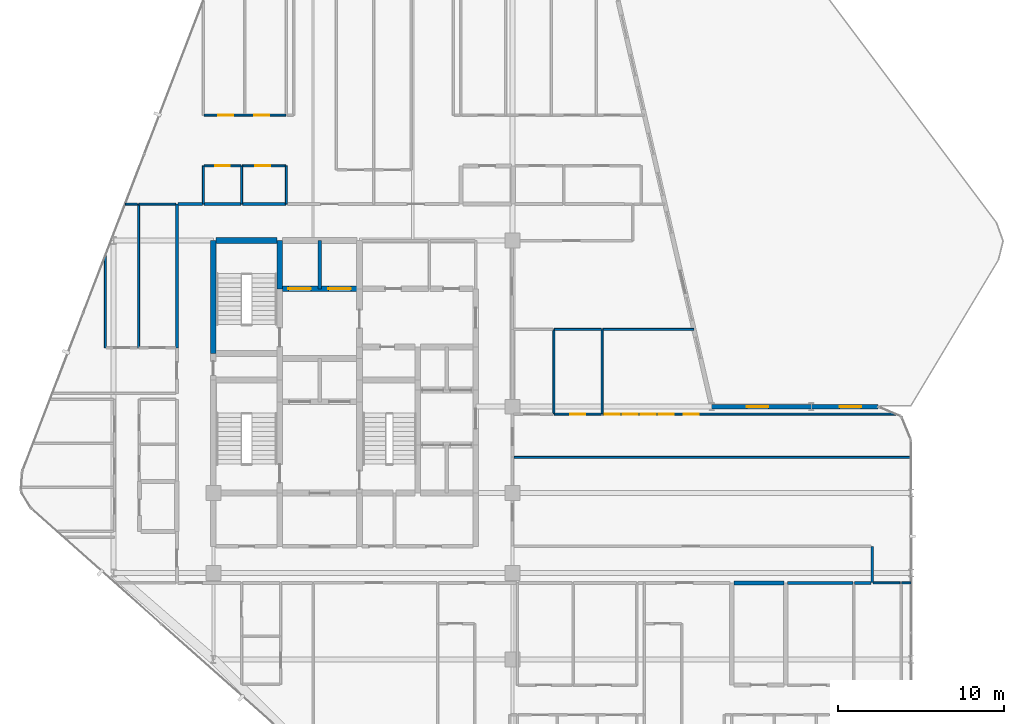
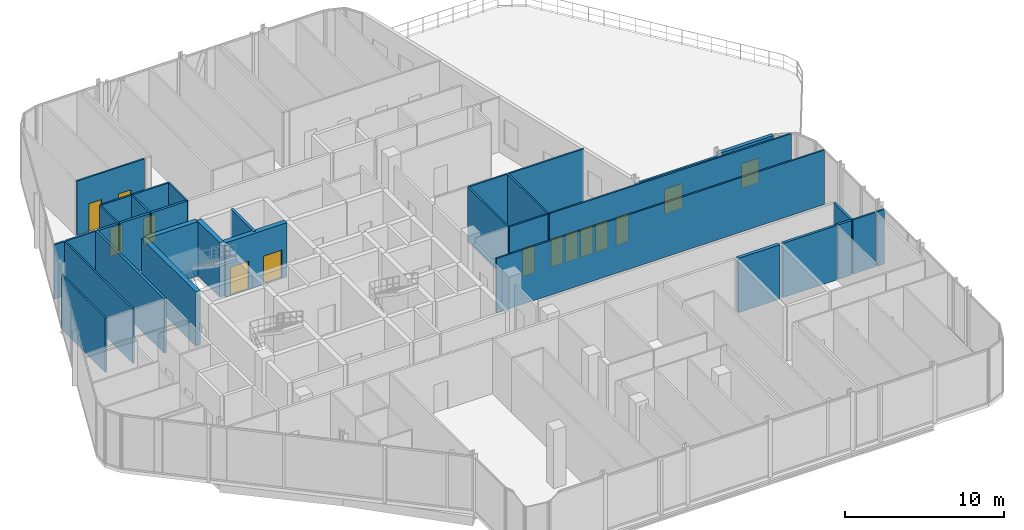
# One storey, part 24 of 28: 34 walls, 12 doors, 2 windows, 14 openings.
"""IFC4 building model written with IfcOpenShell, lengths in metres."""

from ifc_helpers import new_model, si_unit, direction, frame, frame_2d, origin, place, context, subcontext, project, spatial, rectangle, extrude, material, layer, layer_set, type_object, element, fill, save


model = new_model("IFC4")

# Units and contexts
model_context = context("Model", 3, precision=1e-05, world=origin(), true_north=direction((0.0, 1.0)))
body_context = subcontext(model_context, "Body", "Model", "MODEL_VIEW")
ifc_project = project(units=[si_unit("LENGTHUNIT", "METRE"), si_unit("AREAUNIT", "SQUARE_METRE"), si_unit("VOLUMEUNIT", "CUBIC_METRE"), si_unit("PLANEANGLEUNIT", "RADIAN"), si_unit("MASSUNIT", "GRAM", prefix="KILO")], contexts=[model_context])

# Site, building, storey
site_placement = place(None, origin())
site = spatial("IfcSite", under=ifc_project, at=site_placement, CompositionType="ELEMENT")
building_placement = place(site_placement, origin())
building = spatial("IfcBuilding", under=site, at=building_placement, Name="Keshet Zoharim Tower", CompositionType="ELEMENT")
storey_placement = place(building_placement, frame((0.0, 0.0, 164.60009765625)))
storey = spatial("IfcBuildingStorey", under=building, at=storey_placement, Name="L40", CompositionType="ELEMENT", Elevation=164.60009765625)

# Walls
ifc_material_1 = material(Name="Gypsum Plasterboard", Category="gypsum")
ifc_layer_1 = layer(ifc_material_1, 0.14990234375)
ifc_layer_set_1 = layer_set([ifc_layer_1], Name="Gypsum Plasterboard")
wall_type_1 = type_object("IfcWallType", Name="WL-CLIN-150", PredefinedType="STANDARD", material=ifc_layer_set_1)
wall_1_placement = place(storey_placement, frame((54.64990234375, 17.31005859375, 0.0), z_axis=(0.0, 0.0, 1.0), x_axis=(0.0, 1.0, 0.0)))
element("IfcWall", 1, at=wall_1_placement, inside=storey, type_object=wall_type_1, Name="L40 Interior Wall 100", PredefinedType="STANDARD", context=body_context, shape_type="SweptSolid", body=[
    extrude(rectangle(XDim=2.18994140625, YDim=0.14990234375, at=frame_2d((1.094970703125, 0.0))), origin(), (0.0, 0.0, 1.0), 4.18994140625),
])
ifc_material_2 = material(Name="Concrete C60/75", Category="concrete")
ifc_layer_2 = layer(ifc_material_2, 0.35009765625)
ifc_layer_set_2 = layer_set([ifc_layer_2], Name="Concrete C60/75")
wall_type_2 = type_object("IfcWallType", Name="WL-CORE-350", PredefinedType="SHEAR", material=ifc_layer_set_2)
wall_2_placement = place(storey_placement, frame((15.0, 31.10009765625, 0.0), z_axis=(0.0, 0.0, 1.0), x_axis=(0.0, 1.0, 0.0)))
element("IfcWall", 2, at=wall_2_placement, inside=storey, type_object=wall_type_2, Name="L40 Core Shear Wall 018", PredefinedType="SHEAR", context=body_context, shape_type="SweptSolid", body=[
    extrude(rectangle(XDim=6.7998046875, YDim=0.35009765625, at=frame_2d((3.39990234375, 0.0))), origin(), (0.0, 0.0, 1.0), 4.18994140625),
])
wall_3_placement = place(storey_placement, frame((19.0, 35.0, 0.0), z_axis=(0.0, 0.0, 1.0), x_axis=(0.0, 1.0, 0.0)))
element("IfcWall", 3, at=wall_3_placement, inside=storey, type_object=wall_type_2, Name="L40 Core Shear Wall 027", PredefinedType="SHEAR", context=body_context, shape_type="SweptSolid", body=[
    extrude(rectangle(XDim=2.89990234375, YDim=0.35009765625, at=frame_2d((1.449951171875, 0.0))), origin(), (0.0, 0.0, 1.0), 4.18994140625),
])

# Wall, openings, doors
wall_4_placement = place(storey_placement, frame((19.159912109375, 35.0, 0.0), z_axis=(0.0, 0.0, 1.0), x_axis=(1.0, 0.0, 0.0)))
wall_4 = element("IfcWall", 4, at=wall_4_placement, inside=storey, type_object=wall_type_2, Name="L40 Core Shear Wall 169", PredefinedType="SHEAR", context=body_context, shape_type="SweptSolid", body=[
    extrude(rectangle(XDim=4.47998046875, YDim=0.35009765625, at=frame_2d((2.239990234375, 0.0))), origin(), (0.0, 0.0, 1.0), 4.18994140625),
])
opening_1_placement = place(wall_4_placement, frame((0.364990234375, 0.0, 0.0)))
opening_1 = element("IfcOpeningElement", 5, at=opening_1_placement, cuts=wall_4, Name="Opening LD-02", PredefinedType="OPENING", context=body_context, shape_type="SweptSolid", body=[
    extrude(rectangle(XDim=1.35009765625, YDim=2.199951171875, at=frame_2d((0.675048828125, 1.10009765625))), frame((0.0, 0.18505859375, 0.0), z_axis=(0.0, -1.0, 0.0), x_axis=(1.0, 0.0, 0.0)), (0.0, 0.0, 1.0), 0.3701171875),
])
opening_2_placement = place(wall_4_placement, frame((2.764892578125, 0.0, 0.0)))
opening_2 = element("IfcOpeningElement", 6, at=opening_2_placement, cuts=wall_4, Name="Opening LD-02", PredefinedType="OPENING", context=body_context, shape_type="SweptSolid", body=[
    extrude(rectangle(XDim=1.35009765625, YDim=2.199951171875, at=frame_2d((0.675048828125, 1.10009765625))), frame((0.0, 0.18505859375, 0.0), z_axis=(0.0, -1.0, 0.0), x_axis=(1.0, 0.0, 0.0)), (0.0, 0.0, 1.0), 0.3701171875),
])
ifc_material_3 = material(Name="Steel S355", Category="steel")
door_type_1 = type_object("IfcDoorType", Name="DR-LD02-135", OperationType="DOUBLE_DOOR_SLIDING", PredefinedType="DOOR", material=ifc_material_3)
door_1_placement = place(opening_1_placement, origin())
door_1 = element("IfcDoor", 7, at=door_1_placement, inside=storey, type_object=door_type_1, Name="L40 Firefighting Lift Landing Door FF-01", OperationType="DOUBLE_DOOR_SLIDING", OverallHeight=2.199951171875, OverallWidth=1.35009765625, PredefinedType="DOOR", context=body_context, shape_type="SweptSolid", body=[
    extrude(rectangle(XDim=1.35009765625, YDim=2.199951171875, at=frame_2d((0.675048828125, 1.10009765625))), frame((0.0, 0.02490234375, 0.0), z_axis=(0.0, -1.0, 0.0), x_axis=(1.0, 0.0, 0.0)), (0.0, 0.0, 1.0), 0.050048828125),
])
fill(opening_1, door_1)
door_2_placement = place(opening_2_placement, origin())
door_2 = element("IfcDoor", 8, at=door_2_placement, inside=storey, type_object=door_type_1, Name="L40 Firefighting Lift Landing Door FF-02", OperationType="DOUBLE_DOOR_SLIDING", OverallHeight=2.199951171875, OverallWidth=1.35009765625, PredefinedType="DOOR", context=body_context, shape_type="SweptSolid", body=[
    extrude(rectangle(XDim=1.35009765625, YDim=2.199951171875, at=frame_2d((0.675048828125, 1.10009765625))), frame((0.0, 0.02490234375, 0.0), z_axis=(0.0, -1.0, 0.0), x_axis=(1.0, 0.0, 0.0)), (0.0, 0.0, 1.0), 0.050048828125),
])
fill(opening_2, door_2)

# Walls
wall_5_placement = place(storey_placement, frame((15.159912109375, 37.89990234375, 0.0), z_axis=(0.0, 0.0, 1.0), x_axis=(1.0, 0.0, 0.0)))
element("IfcWall", 9, at=wall_5_placement, inside=storey, type_object=wall_type_2, Name="L40 Core Shear Wall 172", PredefinedType="SHEAR", context=body_context, shape_type="SweptSolid", body=[
    extrude(rectangle(XDim=3.68017578125, YDim=0.35009765625, at=frame_2d((1.840087890625, 0.0))), origin(), (0.0, 0.0, 1.0), 4.18994140625),
])
ifc_layer_3 = layer(ifc_material_1, 0.179931640625)
ifc_layer_set_3 = layer_set([ifc_layer_3], Name="Gypsum Plasterboard")
wall_type_3 = type_object("IfcWallType", Name="WL-CORR-180", PredefinedType="STANDARD", material=ifc_layer_set_3)
wall_6_placement = place(storey_placement, frame((12.800048828125, 31.449951171875, 0.0), z_axis=(0.0, 0.0, 1.0), x_axis=(0.0, 1.0, 0.0)))
element("IfcWall", 10, at=wall_6_placement, inside=storey, type_object=wall_type_3, Name="L40 Interior Wall 012", PredefinedType="STANDARD", context=body_context, shape_type="SweptSolid", body=[
    extrude(rectangle(XDim=8.650146484375, YDim=0.179931640625, at=frame_2d((4.3251953125, 0.0))), origin(), (0.0, 0.0, 1.0), 4.18994140625),
])
wall_7_placement = place(storey_placement, frame((49.56396484375, 17.300048828125, 0.0), z_axis=(0.0, 0.0, 1.0), x_axis=(1.0, 0.0, 0.0)))
element("IfcWall", 11, at=wall_7_placement, inside=storey, type_object=wall_type_3, Name="L40 Interior Wall 126", PredefinedType="STANDARD", context=body_context, shape_type="SweptSolid", body=[
    extrude(rectangle(XDim=3.93310546875, YDim=0.179931640625, at=frame_2d((1.966552734375, 0.0))), origin(), (0.0, 0.0, 1.0), 4.18994140625),
])
wall_8_placement = place(storey_placement, frame((53.5869140625, 17.300048828125, 0.0), z_axis=(0.0, 0.0, 1.0), x_axis=(1.0, 0.0, 0.0)))
element("IfcWall", 12, at=wall_8_placement, inside=storey, type_object=wall_type_3, Name="L40 Interior Wall 127", PredefinedType="STANDARD", context=body_context, shape_type="SweptSolid", body=[
    extrude(rectangle(XDim=0.9931640625, YDim=0.179931640625, at=frame_2d((0.49658203125, 0.0))), origin(), (0.0, 0.0, 1.0), 4.18994140625),
])
wall_9_placement = place(storey_placement, frame((12.875, 40.10009765625, 0.0), z_axis=(0.0, 0.0, 1.0), x_axis=(1.0, 0.0, 0.0)))
element("IfcWall", 13, at=wall_9_placement, inside=storey, type_object=wall_type_3, Name="L40 Interior Wall 179", PredefinedType="STANDARD", context=body_context, shape_type="SweptSolid", body=[
    extrude(rectangle(XDim=1.47998046875, YDim=0.179931640625, at=frame_2d((0.739990234375, 0.0))), origin(), (0.0, 0.0, 1.0), 4.18994140625),
])
wall_10_placement = place(storey_placement, frame((14.445068359375, 40.10009765625, 0.0), z_axis=(0.0, 0.0, 1.0), x_axis=(1.0, 0.0, 0.0)))
element("IfcWall", 14, at=wall_10_placement, inside=storey, type_object=wall_type_3, Name="L40 Interior Wall 180", PredefinedType="STANDARD", context=body_context, shape_type="SweptSolid", body=[
    extrude(rectangle(XDim=2.21484375, YDim=0.179931640625, at=frame_2d((1.107421875, 0.0))), origin(), (0.0, 0.0, 1.0), 4.18994140625),
])
wall_11_placement = place(storey_placement, frame((16.75, 40.10009765625, 0.0), z_axis=(0.0, 0.0, 1.0), x_axis=(1.0, 0.0, 0.0)))
element("IfcWall", 15, at=wall_11_placement, inside=storey, type_object=wall_type_3, Name="L40 Interior Wall 181", PredefinedType="STANDARD", context=body_context, shape_type="SweptSolid", body=[
    extrude(rectangle(XDim=2.614990234375, YDim=0.179931640625, at=frame_2d((1.3076171875, 0.0))), origin(), (0.0, 0.0, 1.0), 4.18994140625),
])

# Wall, opening, window
ifc_material_4 = material(Name="Concrete C50/60 precast", Category="concrete")
ifc_layer_4 = layer(ifc_material_4, 0.260009765625)
ifc_layer_set_4 = layer_set([ifc_layer_4], Name="Concrete C50/60 precast")
wall_type_4 = type_object("IfcWallType", Name="WL-EXT-260", PredefinedType="STANDARD", material=ifc_layer_set_4)
wall_12_placement = place(storey_placement, frame((45.0, 27.89990234375, 0.0), z_axis=(0.0, 0.0, 1.0), x_axis=(1.0, 0.0, 0.0)))
wall_12 = element("IfcWall", 16, at=wall_12_placement, inside=storey, type_object=wall_type_4, Name="L40 Exterior Facade Wall 02", PredefinedType="STANDARD", context=body_context, shape_type="SweptSolid", body=[
    extrude(rectangle(XDim=6.0, YDim=0.260009765625, at=frame_2d((3.0, 0.0))), origin(), (0.0, 0.0, 1.0), 3.889892578125),
])
opening_3_placement = place(wall_12_placement, frame((2.114990234375, 0.0, 0.85009765625)))
opening_3 = element("IfcOpeningElement", 17, at=opening_3_placement, cuts=wall_12, Name="Opening W-130", PredefinedType="OPENING", context=body_context, shape_type="SweptSolid", body=[
    extrude(rectangle(XDim=1.300048828125, YDim=1.89990234375, at=frame_2d((0.64990234375, 0.949951171875))), frame((0.0, 0.14013671875, 0.0), z_axis=(0.0, -1.0, 0.0), x_axis=(1.0, 0.0, 0.0)), (0.0, 0.0, 1.0), 0.280029296875),
])
ifc_material_5 = material(Name="Insulated Low-E Clear Glass", Category="glass")
window_type = type_object("IfcWindowType", Name="WN-CRN-130", PartitioningType="SINGLE_PANEL", PredefinedType="WINDOW", material=ifc_material_5)
window_1_placement = place(opening_3_placement, origin())
window_1 = element("IfcWindow", 18, at=window_1_placement, inside=storey, type_object=window_type, Name="L40 Wind-Corner Window 09", OverallHeight=1.89990234375, OverallWidth=1.300048828125, PartitioningType="SINGLE_PANEL", PredefinedType="WINDOW", context=body_context, shape_type="SweptSolid", body=[
    extrude(rectangle(XDim=1.300048828125, YDim=1.89990234375, at=frame_2d((0.64990234375, 0.949951171875))), frame((0.0, 0.030029296875, 0.0), z_axis=(0.0, -1.0, 0.0), x_axis=(1.0, 0.0, 0.0)), (0.0, 0.0, 1.0), 0.06005859375),
])
fill(opening_3, window_1)

wall_13_placement = place(storey_placement, frame((51.0, 27.89990234375, 0.0), z_axis=(0.0, 0.0, 1.0), x_axis=(1.0, 0.0, 0.0)))
wall_13 = element("IfcWall", 19, at=wall_13_placement, inside=storey, type_object=wall_type_4, Name="L40 Exterior Facade Wall 02 Part 2", PredefinedType="STANDARD", context=body_context, shape_type="SweptSolid", body=[
    extrude(rectangle(XDim=4.0, YDim=0.260009765625, at=frame_2d((2.0, 0.0))), origin(), (0.0, 0.0, 1.0), 4.18994140625),
])
opening_4_placement = place(wall_13_placement, frame((1.695068359375, 0.0, 0.85009765625)))
opening_4 = element("IfcOpeningElement", 20, at=opening_4_placement, cuts=wall_13, Name="Opening W-130", PredefinedType="OPENING", context=body_context, shape_type="SweptSolid", body=[
    extrude(rectangle(XDim=1.300048828125, YDim=1.89990234375, at=frame_2d((0.64990234375, 0.949951171875))), frame((0.0, 0.14013671875, 0.0), z_axis=(0.0, -1.0, 0.0), x_axis=(1.0, 0.0, 0.0)), (0.0, 0.0, 1.0), 0.280029296875),
])
window_2_placement = place(opening_4_placement, origin())
window_2 = element("IfcWindow", 21, at=window_2_placement, inside=storey, type_object=window_type, Name="L40 Wind-Corner Window 10", OverallHeight=1.89990234375, OverallWidth=1.300048828125, PartitioningType="SINGLE_PANEL", PredefinedType="WINDOW", context=body_context, shape_type="SweptSolid", body=[
    extrude(rectangle(XDim=1.300048828125, YDim=1.89990234375, at=frame_2d((0.64990234375, 0.949951171875))), frame((0.0, 0.030029296875, 0.0), z_axis=(0.0, -1.0, 0.0), x_axis=(1.0, 0.0, 0.0)), (0.0, 0.0, 1.0), 0.06005859375),
])
fill(opening_4, window_2)

# Walls
ifc_material_6 = material(Name="Concrete C50/60", Category="concrete")
ifc_layer_5 = layer(ifc_material_6, 0.199951171875)
ifc_layer_set_5 = layer_set([ifc_layer_5], Name="Concrete C50/60")
wall_type_5 = type_object("IfcWallType", Name="WL-FIRE-200", PredefinedType="STANDARD", material=ifc_layer_set_5)
wall_14_placement = place(storey_placement, frame((21.39990234375, 35.0, 0.0), z_axis=(0.0, 0.0, 1.0), x_axis=(0.0, 1.0, 0.0)))
element("IfcWall", 22, at=wall_14_placement, inside=storey, type_object=wall_type_5, Name="L40 Interior Wall 035", PredefinedType="STANDARD", context=body_context, shape_type="SweptSolid", body=[
    extrude(rectangle(XDim=2.89990234375, YDim=0.199951171875, at=frame_2d((1.449951171875, 0.0))), origin(), (0.0, 0.0, 1.0), 4.18994140625),
])
ifc_layer_6 = layer(ifc_material_6, 0.25)
ifc_layer_set_6 = layer_set([ifc_layer_6], Name="Concrete C50/60")
wall_type_6 = type_object("IfcWallType", Name="WL-MAMAD-250", PredefinedType="STANDARD", material=ifc_layer_set_6)
wall_15_placement = place(storey_placement, frame((46.330078125, 17.300048828125, 0.0), z_axis=(0.0, 0.0, 1.0), x_axis=(1.0, 0.0, 0.0)))
element("IfcWall", 23, at=wall_15_placement, inside=storey, type_object=wall_type_6, Name="L40 Interior Wall 125", PredefinedType="STANDARD", context=body_context, shape_type="SweptSolid", body=[
    extrude(rectangle(XDim=3.013916015625, YDim=0.25, at=frame_2d((1.5068359375, 0.0))), origin(), (0.0, 0.0, 1.0), 4.18994140625),
])
ifc_layer_7 = layer(ifc_material_1, 0.1201171875)
ifc_layer_set_7 = layer_set([ifc_layer_7], Name="Gypsum Plasterboard")
wall_type_7 = type_object("IfcWallType", Name="WL-PART-120", PredefinedType="PARTITIONING", material=ifc_layer_set_7)
wall_16_placement = place(storey_placement, frame((8.5, 31.449951171875, 0.0), z_axis=(0.0, 0.0, 1.0), x_axis=(0.0, 1.0, 0.0)))
element("IfcWall", 24, at=wall_16_placement, inside=storey, type_object=wall_type_7, Name="L40 Interior Wall 001", PredefinedType="PARTITIONING", context=body_context, shape_type="SweptSolid", body=[
    extrude(rectangle(XDim=5.5400390625, YDim=0.1201171875, at=frame_2d((2.77001953125, 0.0))), origin(), (0.0, 0.0, 1.0), 4.18994140625),
])
wall_17_placement = place(storey_placement, frame((14.39990234375, 40.10009765625, 0.0), z_axis=(0.0, 0.0, 1.0), x_axis=(0.0, 1.0, 0.0)))
element("IfcWall", 25, at=wall_17_placement, inside=storey, type_object=wall_type_7, Name="L40 Interior Wall 013", PredefinedType="PARTITIONING", context=body_context, shape_type="SweptSolid", body=[
    extrude(rectangle(XDim=2.2998046875, YDim=0.1201171875, at=frame_2d((1.14990234375, 0.0))), origin(), (0.0, 0.0, 1.0), 4.18994140625),
])
wall_18_placement = place(storey_placement, frame((56.43505859375, 17.300048828125, 0.0), z_axis=(0.0, 0.0, 1.0), x_axis=(1.0, 0.0, 0.0)))
element("IfcWall", 26, at=wall_18_placement, inside=storey, type_object=wall_type_7, Name="L40 Interior Wall 129", PredefinedType="PARTITIONING", context=body_context, shape_type="SweptSolid", body=[
    extrude(rectangle(XDim=0.554931640625, YDim=0.1201171875, at=frame_2d((0.27734375, 0.0))), origin(), (0.0, 0.0, 1.0), 4.18994140625),
])
wall_19_placement = place(storey_placement, frame((33.0849609375, 24.85009765625, 0.0), z_axis=(0.0, 0.0, 1.0), x_axis=(1.0, 0.0, 0.0)))
element("IfcWall", 27, at=wall_19_placement, inside=storey, type_object=wall_type_7, Name="L40 Interior Wall 145", PredefinedType="PARTITIONING", context=body_context, shape_type="SweptSolid", body=[
    extrude(rectangle(XDim=23.905029296875, YDim=0.1201171875, at=frame_2d((11.95263671875, 0.0))), origin(), (0.0, 0.0, 1.0), 4.18994140625),
])

# Wall, openings, doors
wall_20_placement = place(storey_placement, frame((38.445068359375, 27.449951171875, 0.0), z_axis=(0.0, 0.0, 1.0), x_axis=(1.0, 0.0, 0.0)))
wall_20 = element("IfcWall", 28, at=wall_20_placement, inside=storey, type_object=wall_type_7, Name="L40 Interior Wall 151", PredefinedType="PARTITIONING", context=body_context, shape_type="SweptSolid", body=[
    extrude(rectangle(XDim=17.630859375, YDim=0.1201171875, at=frame_2d((8.8154296875, 0.0))), origin(), (0.0, 0.0, 1.0), 4.18994140625),
])
opening_5_placement = place(wall_20_placement, frame((4.8798828125, 0.0, 0.0)))
opening_5 = element("IfcOpeningElement", 29, at=opening_5_placement, cuts=wall_20, Name="Opening D-IN90", PredefinedType="OPENING", context=body_context, shape_type="SweptSolid", body=[
    extrude(rectangle(XDim=0.89990234375, YDim=2.14990234375, at=frame_2d((0.449951171875, 1.074951171875))), frame((0.0, 0.070068359375, 0.0), z_axis=(0.0, -1.0, 0.0), x_axis=(1.0, 0.0, 0.0)), (0.0, 0.0, 1.0), 0.14013671875),
])
opening_6_placement = place(wall_20_placement, frame((0.1201171875, 0.0, 0.0)))
opening_6 = element("IfcOpeningElement", 30, at=opening_6_placement, cuts=wall_20, Name="Opening D-IN90", PredefinedType="OPENING", context=body_context, shape_type="SweptSolid", body=[
    extrude(rectangle(XDim=0.89990234375, YDim=2.14990234375, at=frame_2d((0.449951171875, 1.074951171875))), frame((0.0, 0.070068359375, 0.0), z_axis=(0.0, -1.0, 0.0), x_axis=(1.0, 0.0, 0.0)), (0.0, 0.0, 1.0), 0.14013671875),
])
opening_7_placement = place(wall_20_placement, frame((1.202880859375, 0.0, 0.0)))
opening_7 = element("IfcOpeningElement", 31, at=opening_7_placement, cuts=wall_20, Name="Opening D-IN90", PredefinedType="OPENING", context=body_context, shape_type="SweptSolid", body=[
    extrude(rectangle(XDim=0.89990234375, YDim=2.14990234375, at=frame_2d((0.449951171875, 1.074951171875))), frame((0.0, 0.070068359375, 0.0), z_axis=(0.0, -1.0, 0.0), x_axis=(1.0, 0.0, 0.0)), (0.0, 0.0, 1.0), 0.14013671875),
])
opening_8_placement = place(wall_20_placement, frame((2.287109375, 0.0, 0.0)))
opening_8 = element("IfcOpeningElement", 32, at=opening_8_placement, cuts=wall_20, Name="Opening D-IN90", PredefinedType="OPENING", context=body_context, shape_type="SweptSolid", body=[
    extrude(rectangle(XDim=0.89990234375, YDim=2.14990234375, at=frame_2d((0.449951171875, 1.074951171875))), frame((0.0, 0.070068359375, 0.0), z_axis=(0.0, -1.0, 0.0), x_axis=(1.0, 0.0, 0.0)), (0.0, 0.0, 1.0), 0.14013671875),
])
opening_9_placement = place(wall_20_placement, frame((3.3701171875, 0.0, 0.0)))
opening_9 = element("IfcOpeningElement", 33, at=opening_9_placement, cuts=wall_20, Name="Opening D-IN90", PredefinedType="OPENING", context=body_context, shape_type="SweptSolid", body=[
    extrude(rectangle(XDim=0.89990234375, YDim=2.14990234375, at=frame_2d((0.449951171875, 1.074951171875))), frame((0.0, 0.070068359375, 0.0), z_axis=(0.0, -1.0, 0.0), x_axis=(1.0, 0.0, 0.0)), (0.0, 0.0, 1.0), 0.14013671875),
])
ifc_material_7 = material(Name="Hardwood Timber", Category="wood")
door_type_2 = type_object("IfcDoorType", Name="DR-INT-090", OperationType="NOTDEFINED", PredefinedType="DOOR", material=ifc_material_7)
door_3_placement = place(opening_5_placement, origin())
door_3 = element("IfcDoor", 34, at=door_3_placement, inside=storey, type_object=door_type_2, Name="Apartment 4008 Bedroom 1 Access Door", OperationType="SINGLE_SWING_RIGHT", OverallHeight=2.14990234375, OverallWidth=0.89990234375, PredefinedType="DOOR", context=body_context, shape_type="SweptSolid", body=[
    extrude(rectangle(XDim=0.89990234375, YDim=2.14990234375, at=frame_2d((0.449951171875, 1.074951171875))), frame((0.0, 0.02490234375, 0.0), z_axis=(0.0, -1.0, 0.0), x_axis=(1.0, 0.0, 0.0)), (0.0, 0.0, 1.0), 0.050048828125),
])
fill(opening_5, door_3)
door_4_placement = place(opening_6_placement, origin())
door_4 = element("IfcDoor", 35, at=door_4_placement, inside=storey, type_object=door_type_2, Name="Apartment 4008 Bedroom 1 Access Door", OperationType="SINGLE_SWING_LEFT", OverallHeight=2.14990234375, OverallWidth=0.89990234375, PredefinedType="DOOR", context=body_context, shape_type="SweptSolid", body=[
    extrude(rectangle(XDim=0.89990234375, YDim=2.14990234375, at=frame_2d((0.449951171875, 1.074951171875))), frame((0.0, 0.02490234375, 0.0), z_axis=(0.0, -1.0, 0.0), x_axis=(1.0, 0.0, 0.0)), (0.0, 0.0, 1.0), 0.050048828125),
])
fill(opening_6, door_4)
door_5_placement = place(opening_7_placement, origin())
door_5 = element("IfcDoor", 36, at=door_5_placement, inside=storey, type_object=door_type_2, Name="Apartment 4008 Bedroom 1 Access Door", OperationType="SINGLE_SWING_RIGHT", OverallHeight=2.14990234375, OverallWidth=0.89990234375, PredefinedType="DOOR", context=body_context, shape_type="SweptSolid", body=[
    extrude(rectangle(XDim=0.89990234375, YDim=2.14990234375, at=frame_2d((0.449951171875, 1.074951171875))), frame((0.0, 0.02490234375, 0.0), z_axis=(0.0, -1.0, 0.0), x_axis=(1.0, 0.0, 0.0)), (0.0, 0.0, 1.0), 0.050048828125),
])
fill(opening_7, door_5)
door_6_placement = place(opening_8_placement, origin())
door_6 = element("IfcDoor", 37, at=door_6_placement, inside=storey, type_object=door_type_2, Name="Apartment 4008 Bedroom 1 Access Door", OperationType="SINGLE_SWING_LEFT", OverallHeight=2.14990234375, OverallWidth=0.89990234375, PredefinedType="DOOR", context=body_context, shape_type="SweptSolid", body=[
    extrude(rectangle(XDim=0.89990234375, YDim=2.14990234375, at=frame_2d((0.449951171875, 1.074951171875))), frame((0.0, 0.02490234375, 0.0), z_axis=(0.0, -1.0, 0.0), x_axis=(1.0, 0.0, 0.0)), (0.0, 0.0, 1.0), 0.050048828125),
])
fill(opening_8, door_6)
door_7_placement = place(opening_9_placement, origin())
door_7 = element("IfcDoor", 38, at=door_7_placement, inside=storey, type_object=door_type_2, Name="Apartment 4008 Bedroom 1 Door", OperationType="SINGLE_SWING_RIGHT", OverallHeight=2.14990234375, OverallWidth=0.89990234375, PredefinedType="DOOR", context=body_context, shape_type="SweptSolid", body=[
    extrude(rectangle(XDim=0.89990234375, YDim=2.14990234375, at=frame_2d((0.449951171875, 1.074951171875))), frame((0.0, 0.02490234375, 0.0), z_axis=(0.0, -1.0, 0.0), x_axis=(1.0, 0.0, 0.0)), (0.0, 0.0, 1.0), 0.050048828125),
])
fill(opening_9, door_7)

# Walls
wall_21_placement = place(storey_placement, frame((38.445068359375, 32.550048828125, 0.0), z_axis=(0.0, 0.0, 1.0), x_axis=(1.0, 0.0, 0.0)))
element("IfcWall", 39, at=wall_21_placement, inside=storey, type_object=wall_type_7, Name="L40 Interior Wall 168", PredefinedType="PARTITIONING", context=body_context, shape_type="SweptSolid", body=[
    extrude(rectangle(XDim=5.471923828125, YDim=0.1201171875, at=frame_2d((2.73583984375, 0.0))), origin(), (0.0, 0.0, 1.0), 4.18994140625),
])
wall_22_placement = place(storey_placement, frame((9.701904296875, 40.10009765625, 0.0), z_axis=(0.0, 0.0, 1.0), x_axis=(1.0, 0.0, 0.0)))
element("IfcWall", 40, at=wall_22_placement, inside=storey, type_object=wall_type_7, Name="L40 Interior Wall 177", PredefinedType="PARTITIONING", context=body_context, shape_type="SweptSolid", body=[
    extrude(rectangle(XDim=0.731201171875, YDim=0.1201171875, at=frame_2d((0.36572265625, 0.0))), origin(), (0.0, 0.0, 1.0), 4.18994140625),
])

# Wall, opening, door
wall_23_placement = place(storey_placement, frame((14.445068359375, 42.39990234375, 0.0), z_axis=(0.0, 0.0, 1.0), x_axis=(1.0, 0.0, 0.0)))
wall_23 = element("IfcWall", 41, at=wall_23_placement, inside=storey, type_object=wall_type_7, Name="L40 Interior Wall 190", PredefinedType="PARTITIONING", context=body_context, shape_type="SweptSolid", body=[
    extrude(rectangle(XDim=2.21484375, YDim=0.1201171875, at=frame_2d((1.107421875, 0.0))), origin(), (0.0, 0.0, 1.0), 4.18994140625),
])
opening_10_placement = place(wall_23_placement, frame((0.656982421875, 0.0, 0.0)))
opening_10 = element("IfcOpeningElement", 42, at=opening_10_placement, cuts=wall_23, Name="Opening D-IN90", PredefinedType="OPENING", context=body_context, shape_type="SweptSolid", body=[
    extrude(rectangle(XDim=0.89990234375, YDim=2.14990234375, at=frame_2d((0.449951171875, 1.074951171875))), frame((0.0, 0.070068359375, 0.0), z_axis=(0.0, -1.0, 0.0), x_axis=(1.0, 0.0, 0.0)), (0.0, 0.0, 1.0), 0.14013671875),
])
door_8_placement = place(opening_10_placement, origin())
door_8 = element("IfcDoor", 43, at=door_8_placement, inside=storey, type_object=door_type_2, Name="Apartment 4004 Kitchen Door", OperationType="SINGLE_SWING_LEFT", OverallHeight=2.14990234375, OverallWidth=0.89990234375, PredefinedType="DOOR", context=body_context, shape_type="SweptSolid", body=[
    extrude(rectangle(XDim=0.89990234375, YDim=2.14990234375, at=frame_2d((0.449951171875, 1.074951171875))), frame((0.0, 0.02490234375, 0.0), z_axis=(0.0, -1.0, 0.0), x_axis=(1.0, 0.0, 0.0)), (0.0, 0.0, 1.0), 0.050048828125),
])
fill(opening_10, door_8)

# Wall, openings, doors
wall_24_placement = place(storey_placement, frame((14.445068359375, 45.449951171875, 0.0), z_axis=(0.0, 0.0, 1.0), x_axis=(1.0, 0.0, 0.0)))
wall_24 = element("IfcWall", 44, at=wall_24_placement, inside=storey, type_object=wall_type_7, Name="L40 Interior Wall 195", PredefinedType="PARTITIONING", context=body_context, shape_type="SweptSolid", body=[
    extrude(rectangle(XDim=4.919921875, YDim=0.1201171875, at=frame_2d((2.4599609375, 0.0))), origin(), (0.0, 0.0, 1.0), 4.18994140625),
])
opening_11_placement = place(wall_24_placement, frame((0.85791015625, 0.0, 0.0)))
opening_11 = element("IfcOpeningElement", 45, at=opening_11_placement, cuts=wall_24, Name="Opening D-IN90", PredefinedType="OPENING", context=body_context, shape_type="SweptSolid", body=[
    extrude(rectangle(XDim=0.89990234375, YDim=2.14990234375, at=frame_2d((0.449951171875, 1.074951171875))), frame((0.0, 0.070068359375, 0.0), z_axis=(0.0, -1.0, 0.0), x_axis=(1.0, 0.0, 0.0)), (0.0, 0.0, 1.0), 0.14013671875),
])
opening_12_placement = place(wall_24_placement, frame((3.012939453125, 0.0, 0.0)))
opening_12 = element("IfcOpeningElement", 46, at=opening_12_placement, cuts=wall_24, Name="Opening D-IN90", PredefinedType="OPENING", context=body_context, shape_type="SweptSolid", body=[
    extrude(rectangle(XDim=0.89990234375, YDim=2.14990234375, at=frame_2d((0.449951171875, 1.074951171875))), frame((0.0, 0.070068359375, 0.0), z_axis=(0.0, -1.0, 0.0), x_axis=(1.0, 0.0, 0.0)), (0.0, 0.0, 1.0), 0.14013671875),
])
door_9_placement = place(opening_11_placement, origin())
door_9 = element("IfcDoor", 47, at=door_9_placement, inside=storey, type_object=door_type_2, Name="Apartment 4004 Bedroom 1 Door", OperationType="SINGLE_SWING_RIGHT", OverallHeight=2.14990234375, OverallWidth=0.89990234375, PredefinedType="DOOR", context=body_context, shape_type="SweptSolid", body=[
    extrude(rectangle(XDim=0.89990234375, YDim=2.14990234375, at=frame_2d((0.449951171875, 1.074951171875))), frame((0.0, 0.02490234375, 0.0), z_axis=(0.0, -1.0, 0.0), x_axis=(1.0, 0.0, 0.0)), (0.0, 0.0, 1.0), 0.050048828125),
])
fill(opening_11, door_9)
door_10_placement = place(opening_12_placement, origin())
door_10 = element("IfcDoor", 48, at=door_10_placement, inside=storey, type_object=door_type_2, Name="Apartment 4004 Bedroom 2 Door", OperationType="SINGLE_SWING_LEFT", OverallHeight=2.14990234375, OverallWidth=0.89990234375, PredefinedType="DOOR", context=body_context, shape_type="SweptSolid", body=[
    extrude(rectangle(XDim=0.89990234375, YDim=2.14990234375, at=frame_2d((0.449951171875, 1.074951171875))), frame((0.0, 0.02490234375, 0.0), z_axis=(0.0, -1.0, 0.0), x_axis=(1.0, 0.0, 0.0)), (0.0, 0.0, 1.0), 0.050048828125),
])
fill(opening_12, door_10)

# Walls
ifc_layer_8 = layer(ifc_material_1, 0.1201171875)
ifc_layer_set_8 = layer_set([ifc_layer_8], Name="Gypsum Plasterboard")
wall_type_8 = type_object("IfcWallType", Name="WL-WET-120", PredefinedType="PARTITIONING", material=ifc_layer_set_8)
wall_25_placement = place(storey_placement, frame((10.5, 31.449951171875, 0.0), z_axis=(0.0, 0.0, 1.0), x_axis=(0.0, 1.0, 0.0)))
element("IfcWall", 49, at=wall_25_placement, inside=storey, type_object=wall_type_8, Name="L40 Interior Wall 003", PredefinedType="PARTITIONING", context=body_context, shape_type="SweptSolid", body=[
    extrude(rectangle(XDim=8.650146484375, YDim=0.1201171875, at=frame_2d((4.3251953125, 0.0))), origin(), (0.0, 0.0, 1.0), 4.18994140625),
])
for number, where, z_axis, x_axis, name in (
    (50, (16.699951171875, 40.10009765625, 0.0), (0.0, 0.0, 1.0), (0.0, 1.0, 0.0), "L40 Interior Wall 021"),
    (51, (19.39990234375, 40.10009765625, 0.0), (0.0, 0.0, 1.0), (0.0, 1.0, 0.0), "L40 Interior Wall 030"),
):
    element("IfcWall", number, at=place(storey_placement, frame(where, z_axis=z_axis, x_axis=x_axis)), inside=storey, type_object=wall_type_8, Name=name, PredefinedType="PARTITIONING", context=body_context, shape_type="SweptSolid", body=[
        extrude(rectangle(XDim=2.2998046875, YDim=0.1201171875, at=frame_2d((1.14990234375, 0.0))), origin(), (0.0, 0.0, 1.0), 4.18994140625),
    ])
for number, where, z_axis, x_axis, name in (
    (52, (35.5, 27.469970703125, 0.0), (0.0, 0.0, 1.0), (0.0, 1.0, 0.0), "L40 Interior Wall 077"),
    (53, (38.39990234375, 27.469970703125, 0.0), (0.0, 0.0, 1.0), (0.0, 1.0, 0.0), "L40 Interior Wall 083"),
):
    element("IfcWall", number, at=place(storey_placement, frame(where, z_axis=z_axis, x_axis=x_axis)), inside=storey, type_object=wall_type_8, Name=name, PredefinedType="PARTITIONING", context=body_context, shape_type="SweptSolid", body=[
        extrude(rectangle(XDim=5.070068359375, YDim=0.1201171875, at=frame_2d((2.53515625, 0.0))), origin(), (0.0, 0.0, 1.0), 4.18994140625),
    ])
wall_26_placement = place(storey_placement, frame((54.7099609375, 17.300048828125, 0.0), z_axis=(0.0, 0.0, 1.0), x_axis=(1.0, 0.0, 0.0)))
element("IfcWall", 54, at=wall_26_placement, inside=storey, type_object=wall_type_8, Name="L40 Interior Wall 128", PredefinedType="PARTITIONING", context=body_context, shape_type="SweptSolid", body=[
    extrude(rectangle(XDim=1.635009765625, YDim=0.1201171875, at=frame_2d((0.8173828125, 0.0))), origin(), (0.0, 0.0, 1.0), 4.18994140625),
])

# Wall, opening, door
wall_27_placement = place(storey_placement, frame((35.529052734375, 27.449951171875, 0.0), z_axis=(0.0, 0.0, 1.0), x_axis=(1.0, 0.0, 0.0)))
wall_27 = element("IfcWall", 55, at=wall_27_placement, inside=storey, type_object=wall_type_8, Name="L40 Interior Wall 150", PredefinedType="PARTITIONING", context=body_context, shape_type="SweptSolid", body=[
    extrude(rectangle(XDim=2.825927734375, YDim=0.1201171875, at=frame_2d((1.4130859375, 0.0))), origin(), (0.0, 0.0, 1.0), 4.18994140625),
])
opening_13_placement = place(wall_27_placement, frame((0.962890625, 0.0, 0.0)))
opening_13 = element("IfcOpeningElement", 56, at=opening_13_placement, cuts=wall_27, Name="Opening D-WT90", PredefinedType="OPENING", context=body_context, shape_type="SweptSolid", body=[
    extrude(rectangle(XDim=0.89990234375, YDim=2.10009765625, at=frame_2d((0.449951171875, 1.050048828125))), frame((0.0, 0.070068359375, 0.0), z_axis=(0.0, -1.0, 0.0), x_axis=(1.0, 0.0, 0.0)), (0.0, 0.0, 1.0), 0.14013671875),
])
door_type_3 = type_object("IfcDoorType", Name="DR-WET-090", OperationType="NOTDEFINED", PredefinedType="DOOR", material=ifc_material_7)
door_11_placement = place(opening_13_placement, origin())
door_11 = element("IfcDoor", 57, at=door_11_placement, inside=storey, type_object=door_type_3, Name="Apartment 4008 Bathroom Door", OperationType="SINGLE_SWING_LEFT", OverallHeight=2.10009765625, OverallWidth=0.89990234375, PredefinedType="DOOR", context=body_context, shape_type="SweptSolid", body=[
    extrude(rectangle(XDim=0.89990234375, YDim=2.10009765625, at=frame_2d((0.449951171875, 1.050048828125))), frame((0.0, 0.02490234375, 0.0), z_axis=(0.0, -1.0, 0.0), x_axis=(1.0, 0.0, 0.0)), (0.0, 0.0, 1.0), 0.050048828125),
])
fill(opening_13, door_11)

# Walls
wall_28_placement = place(storey_placement, frame((35.529052734375, 32.550048828125, 0.0), z_axis=(0.0, 0.0, 1.0), x_axis=(1.0, 0.0, 0.0)))
element("IfcWall", 58, at=wall_28_placement, inside=storey, type_object=wall_type_8, Name="L40 Interior Wall 167", PredefinedType="PARTITIONING", context=body_context, shape_type="SweptSolid", body=[
    extrude(rectangle(XDim=2.825927734375, YDim=0.1201171875, at=frame_2d((1.4130859375, 0.0))), origin(), (0.0, 0.0, 1.0), 4.18994140625),
])
wall_29_placement = place(storey_placement, frame((10.52294921875, 40.10009765625, 0.0), z_axis=(0.0, 0.0, 1.0), x_axis=(1.0, 0.0, 0.0)))
element("IfcWall", 59, at=wall_29_placement, inside=storey, type_object=wall_type_8, Name="L40 Interior Wall 178", PredefinedType="PARTITIONING", context=body_context, shape_type="SweptSolid", body=[
    extrude(rectangle(XDim=2.2021484375, YDim=0.1201171875, at=frame_2d((1.10107421875, 0.0))), origin(), (0.0, 0.0, 1.0), 4.18994140625),
])

# Wall, opening, door
wall_30_placement = place(storey_placement, frame((16.75, 42.39990234375, 0.0), z_axis=(0.0, 0.0, 1.0), x_axis=(1.0, 0.0, 0.0)))
wall_30 = element("IfcWall", 60, at=wall_30_placement, inside=storey, type_object=wall_type_8, Name="L40 Interior Wall 191", PredefinedType="PARTITIONING", context=body_context, shape_type="SweptSolid", body=[
    extrude(rectangle(XDim=2.614990234375, YDim=0.1201171875, at=frame_2d((1.3076171875, 0.0))), origin(), (0.0, 0.0, 1.0), 4.18994140625),
])
opening_14_placement = place(wall_30_placement, frame((0.784912109375, 0.0, 0.0)))
opening_14 = element("IfcOpeningElement", 61, at=opening_14_placement, cuts=wall_30, Name="Opening D-WT90", PredefinedType="OPENING", context=body_context, shape_type="SweptSolid", body=[
    extrude(rectangle(XDim=0.89990234375, YDim=2.10009765625, at=frame_2d((0.449951171875, 1.050048828125))), frame((0.0, 0.070068359375, 0.0), z_axis=(0.0, -1.0, 0.0), x_axis=(1.0, 0.0, 0.0)), (0.0, 0.0, 1.0), 0.14013671875),
])
door_12_placement = place(opening_14_placement, origin())
door_12 = element("IfcDoor", 62, at=door_12_placement, inside=storey, type_object=door_type_3, Name="Apartment 4004 Bathroom Door", OperationType="SINGLE_SWING_RIGHT", OverallHeight=2.10009765625, OverallWidth=0.89990234375, PredefinedType="DOOR", context=body_context, shape_type="SweptSolid", body=[
    extrude(rectangle(XDim=0.89990234375, YDim=2.10009765625, at=frame_2d((0.449951171875, 1.050048828125))), frame((0.0, 0.02490234375, 0.0), z_axis=(0.0, -1.0, 0.0), x_axis=(1.0, 0.0, 0.0)), (0.0, 0.0, 1.0), 0.050048828125),
])
fill(opening_14, door_12)

save(model, "model.ifc")
